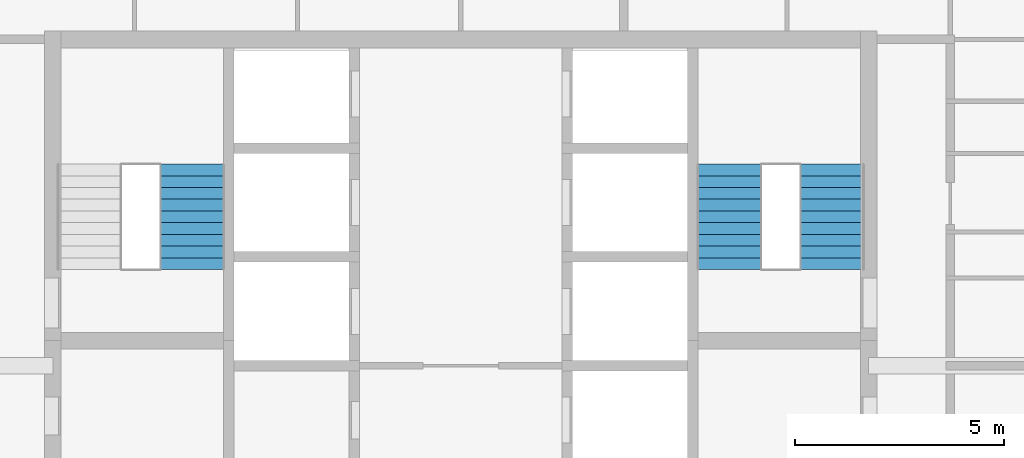
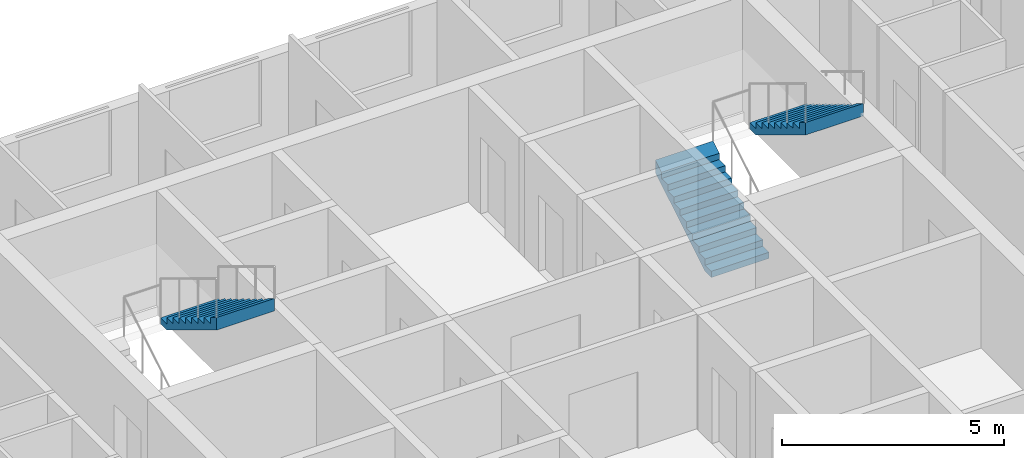
# One storey, part 14 of 16: 3 stair flights, 2 elements without a shape of their own.
"""IFC4 building model written with IfcOpenShell, lengths in metres."""

import ifcopenshell
import ifcopenshell.guid

model = None  # the IFC model being written
_history = None  # IfcOwnerHistory: only IFC2X3 demands one
_inside = {}  # id of a spatial element -> (the spatial element, [elements in it])
_under = {}  # id of a project, library or spatial element -> (it, [spatial elements below it])
_declared = {}  # id of a project -> (the project, [libraries it declares])
_typed = {}  # id of a type object -> (the type object, [elements of that type])
_made_of = {}  # id of a material, layer set ... -> (it, [elements and type objects made of it])


def new_model(schema):
    """Start an empty IFC model of exactly this schema.

    Asked for "IFC4X3", IfcOpenShell would pick the latest addendum, in which some entities
    have other attributes; the version numbers below select the first issue.
    IFC2X3 requires an IfcOwnerHistory on every rooted entity: one is made here for all.
    """
    global model, _history
    if schema == "IFC4X3":
        model = ifcopenshell.file(schema_version=(4, 3, 0, 0))
    else:
        model = ifcopenshell.file(schema=schema)
    _inside.clear()
    _under.clear()
    _declared.clear()
    _typed.clear()
    _made_of.clear()
    _history = None
    if model.schema == "IFC2X3":
        org = make("IfcOrganization", Name="unknown")
        user = make(
            "IfcPersonAndOrganization",
            ThePerson=make("IfcPerson", FamilyName="unknown"),
            TheOrganization=org,
        )
        app = make(
            "IfcApplication",
            ApplicationDeveloper=org,
            Version="unknown",
            ApplicationFullName="unknown",
            ApplicationIdentifier="unknown",
        )
        _history = make(
            "IfcOwnerHistory",
            OwningUser=user,
            OwningApplication=app,
            ChangeAction="ADDED",
            CreationDate=0,
        )
    return model


def make(cls, **values):
    """One entity of the class cls with the attributes given. An attribute that is None is left unset."""
    return model.create_entity(
        cls, **{name: value for name, value in values.items() if value is not None}
    )


def rooted(cls, **values):
    """An entity with a GlobalId (a new one), such as an element, a storey or a relation."""
    return make(cls, GlobalId=ifcopenshell.guid.new(), OwnerHistory=_history, **values)


def si_unit(unit_type, name, prefix=None):
    """IfcSIUnit, for example si_unit("LENGTHUNIT", "METRE", prefix="MILLI")."""
    return make("IfcSIUnit", UnitType=unit_type, Prefix=prefix, Name=name)


def assignment(units):
    """IfcUnitAssignment: the units of a project."""
    return None if units is None else make("IfcUnitAssignment", Units=units)


def point(xyz):
    """IfcCartesianPoint."""
    return None if xyz is None else make("IfcCartesianPoint", Coordinates=xyz)


def direction(xyz):
    """IfcDirection."""
    return None if xyz is None else make("IfcDirection", DirectionRatios=xyz)


def frame(location, z_axis=None, x_axis=None):
    """IfcAxis2Placement3D, a coordinate frame: its origin and axes. An axis left out is left unset."""
    return make(
        "IfcAxis2Placement3D",
        Location=point(location),
        Axis=direction(z_axis),
        RefDirection=direction(x_axis),
    )


def origin():
    """The frame at (0, 0, 0) with its axes left unset."""
    return frame((0.0, 0.0, 0.0))


def place(relative_to, where):
    """IfcLocalPlacement: puts the frame where relative to a parent placement (None: the world)."""
    return make(
        "IfcLocalPlacement", PlacementRelTo=relative_to, RelativePlacement=where
    )


def context(
    kind, dimensions, precision=None, world=None, true_north=None, identifier=None
):
    """IfcGeometricRepresentationContext, for example the 3D "Model" context."""
    return make(
        "IfcGeometricRepresentationContext",
        ContextIdentifier=identifier,
        ContextType=kind,
        CoordinateSpaceDimension=dimensions,
        Precision=precision,
        WorldCoordinateSystem=world,
        TrueNorth=true_north,
    )


def subcontext(parent, identifier, kind, view, scale=None):
    """IfcGeometricRepresentationSubContext, for example "Body" below "Model"."""
    return make(
        "IfcGeometricRepresentationSubContext",
        ContextIdentifier=identifier,
        ContextType=kind,
        ParentContext=parent,
        TargetScale=scale,
        TargetView=view,
    )


def project(units=None, contexts=None):
    """IfcProject with its units and contexts."""
    return rooted(
        "IfcProject",
        Name="project",
        RepresentationContexts=contexts,
        UnitsInContext=assignment(units),
    )


def spatial(cls, under=None, at=None, **own):
    """A site, building, storey or space (cls), placed at a placement, below another one or the project."""
    s = rooted(cls, ObjectPlacement=at, **own)
    if under is not None:
        _under.setdefault(under.id(), (under, []))[1].append(s)
    return s


def point_list(points):
    """IfcCartesianPointList2D or 3D."""
    cls = (
        "IfcCartesianPointList2D" if len(points[0]) == 2 else "IfcCartesianPointList3D"
    )
    return make(cls, CoordList=points)


def triangles(points, corners, closed=None, point_numbers=None):
    """IfcTriangulatedFaceSet: each triangle names its three corners, points numbered from 1."""
    return make(
        "IfcTriangulatedFaceSet",
        Coordinates=point_list(points),
        Closed=closed,
        CoordIndex=corners,
        PnIndex=point_numbers,
    )


def shape(context_of_items, identifier, shape_type, items):
    """IfcShapeRepresentation: the items that make up one representation, for example the "Body"."""
    return make(
        "IfcShapeRepresentation",
        ContextOfItems=context_of_items,
        RepresentationIdentifier=identifier,
        RepresentationType=shape_type,
        Items=items,
    )


def material(Name=None, Category=None):
    """IfcMaterial."""
    return make("IfcMaterial", Name=Name, Category=Category)


def made_of(thing, what):
    """Note that an element or type object is made of a material, layer set ...; save() writes the relation."""
    if what is not None:
        _made_of.setdefault(what.id(), (what, []))[1].append(thing)
    return thing


def type_object(cls, material=None, **own):
    """A type object (cls), such as IfcWallType, which elements share."""
    return made_of(rooted(cls, **own), material)


def element(
    cls,
    number,
    at=None,
    inside=None,
    cuts=None,
    type_object=None,
    material=None,
    context=None,
    identifier="Body",
    shape_type=None,
    held_by="IfcProductDefinitionShape",
    body=None,
    shapes=None,
    **own,
):
    """One element of the class cls, such as IfcWall. Its Tag is "e" and its number.

    at: its placement. inside: the storey or other place that contains it. cuts: it is an
    opening in that element (IfcRelVoidsElement). A single representation is given by context,
    identifier, shape_type and body (its items); several are given by shapes. held_by: the class
    of the entity that holds the representations. save() writes the other relations.
    """
    e = rooted(cls, Tag="e%d" % number, ObjectPlacement=at, **own)
    if body is not None:
        shapes = [shape(context, identifier, shape_type, body)]
    if shapes is not None:
        e.Representation = make(held_by, Representations=shapes)
    if inside is not None:
        _inside.setdefault(inside.id(), (inside, []))[1].append(e)
    if cuts is not None:
        rooted(
            "IfcRelVoidsElement", RelatingBuildingElement=cuts, RelatedOpeningElement=e
        )
    if type_object is not None:
        _typed.setdefault(type_object.id(), (type_object, []))[1].append(e)
    return made_of(e, material)


def aggregate(whole, parts):
    """IfcRelAggregates: a whole, such as a stair, and the parts it consists of."""
    return rooted("IfcRelAggregates", RelatingObject=whole, RelatedObjects=parts)


def save(model, path):
    """Write the relations noted so far, then the file.

    IfcRelAggregates (storeys below a building ...), IfcRelContainedInSpatialStructure (elements
    in a storey), IfcRelDefinesByType, IfcRelAssociatesMaterial and IfcRelDeclares: one each for
    every whole, place, type object, material and project.
    """
    for whole, parts in _under.values():
        aggregate(whole, parts)
    for where, things in _inside.values():
        rooted(
            "IfcRelContainedInSpatialStructure",
            RelatedElements=things,
            RelatingStructure=where,
        )
    for kind, things in _typed.values():
        rooted("IfcRelDefinesByType", RelatedObjects=things, RelatingType=kind)
    for what, things in _made_of.values():
        rooted("IfcRelAssociatesMaterial", RelatedObjects=things, RelatingMaterial=what)
    for by, libraries in _declared.values():
        rooted("IfcRelDeclares", RelatingContext=by, RelatedDefinitions=libraries)
    model.write(path)


model = new_model("IFC4")

# Units and contexts
model_context = context("Model", 3, precision=1e-05, world=origin(), true_north=direction((0.0, 1.0)))
body_context = subcontext(model_context, "Body", "Model", "MODEL_VIEW")
ifc_project = project(units=[si_unit("LENGTHUNIT", "METRE"), si_unit("AREAUNIT", "SQUARE_METRE"), si_unit("VOLUMEUNIT", "CUBIC_METRE"), si_unit("PLANEANGLEUNIT", "RADIAN"), si_unit("MASSUNIT", "GRAM", prefix="KILO")], contexts=[model_context])

# Site, building, storey
site_placement = place(None, origin())
site = spatial("IfcSite", under=ifc_project, at=site_placement, CompositionType="ELEMENT")
building_placement = place(site_placement, origin())
building = spatial("IfcBuilding", under=site, at=building_placement, Name="Ludao Terraces", CompositionType="ELEMENT")
storey_placement = place(building_placement, frame((0.0, 0.0, 214.300048828125)))
storey = spatial("IfcBuildingStorey", under=building, at=storey_placement, Name="L58", CompositionType="ELEMENT", Elevation=214.300048828125)

# Stair, stair flight
ifc_material = material(Name="Concrete C40", Category="concrete")
stair_type = type_object("IfcStairType", Name="INT Stair", PredefinedType="HALF_TURN_STAIR", material=ifc_material)
stair_1_placement = place(storey_placement, origin())
stair_1 = element("IfcStair", 1, at=stair_1_placement, inside=storey, type_object=stair_type, Name="EXIT STAIR 1", PredefinedType="HALF_TURN_STAIR")
stair_flight_type = type_object("IfcStairFlightType", Name="INT Stair flight", PredefinedType="STRAIGHT", material=ifc_material)
stair_flight_1_placement = place(storey_placement, frame((78.574951171875, 81.52001953125, 1.699951171875), z_axis=(0.0, 0.0, 1.0), x_axis=(0.0, -1.0, 0.0)))
stair_flight_1 = element("IfcStairFlight", 2, at=stair_flight_1_placement, type_object=stair_flight_type, Name="ST1 flight 2", NumberOfRisers=10, NumberOfTreads=9, PredefinedType="STRAIGHT", RiserHeight=0.17, TreadLength=0.28, context=body_context, shape_type="Tessellation", body=[
    triangles([(0.0, -0.75, 0.0), (0.0, -0.5, 0.0), (0.0, -0.25, 0.0), (0.0, 0.0, 0.0), (0.0, 0.25, 0.0), (0.0, 0.5, 0.0), (0.0, 0.75, 0.0), (0.0, -0.75, 0.169921875), (0.0, -0.5, 0.169921875), (0.0, -0.25, 0.169921875), (0.0, 0.0, 0.169921875), (0.0, 0.25, 0.169921875), (0.0, 0.5, 0.169921875), (0.0, 0.75, 0.169921875), (0.280029296875, -0.75, 0.169921875), (0.280029296875, -0.5, 0.169921875), (0.280029296875, -0.25, 0.169921875), (0.280029296875, 0.0, 0.169921875), (0.280029296875, 0.25, 0.169921875), (0.280029296875, 0.5, 0.169921875), (0.280029296875, 0.75, 0.169921875), (0.280029296875, -0.75, 0.340087890625), (0.280029296875, -0.5, 0.340087890625), (0.280029296875, -0.25, 0.340087890625), (0.280029296875, 0.0, 0.340087890625), (0.280029296875, 0.25, 0.340087890625), (0.280029296875, 0.5, 0.340087890625), (0.280029296875, 0.75, 0.340087890625), (0.56005859375, -0.75, 0.340087890625), (0.56005859375, -0.5, 0.340087890625), (0.56005859375, -0.25, 0.340087890625), (0.56005859375, 0.0, 0.340087890625), (0.56005859375, 0.25, 0.340087890625), (0.56005859375, 0.5, 0.340087890625), (0.56005859375, 0.75, 0.340087890625), (0.56005859375, -0.75, 0.510009765625), (0.56005859375, -0.5, 0.510009765625), (0.56005859375, -0.25, 0.510009765625), (0.56005859375, 0.0, 0.510009765625), (0.56005859375, 0.25, 0.510009765625), (0.56005859375, 0.5, 0.510009765625), (0.56005859375, 0.75, 0.510009765625), (0.840087890625, -0.75, 0.510009765625), (0.840087890625, -0.5, 0.510009765625), (0.840087890625, -0.25, 0.510009765625), (0.840087890625, 0.0, 0.510009765625), (0.840087890625, 0.25, 0.510009765625), (0.840087890625, 0.5, 0.510009765625), (0.840087890625, 0.75, 0.510009765625), (0.840087890625, -0.75, 0.679931640625), (0.840087890625, -0.5, 0.679931640625), (0.840087890625, -0.25, 0.679931640625), (0.840087890625, 0.0, 0.679931640625), (0.840087890625, 0.25, 0.679931640625), (0.840087890625, 0.5, 0.679931640625), (0.840087890625, 0.75, 0.679931640625), (1.1201171875, -0.75, 0.679931640625), (1.1201171875, -0.5, 0.679931640625), (1.1201171875, -0.25, 0.679931640625), (1.1201171875, 0.0, 0.679931640625), (1.1201171875, 0.25, 0.679931640625), (1.1201171875, 0.5, 0.679931640625), (1.1201171875, 0.75, 0.679931640625), (1.1201171875, -0.75, 0.85009765625), (1.1201171875, -0.5, 0.85009765625), (1.1201171875, -0.25, 0.85009765625), (1.1201171875, 0.0, 0.85009765625), (1.1201171875, 0.25, 0.85009765625), (1.1201171875, 0.5, 0.85009765625), (1.1201171875, 0.75, 0.85009765625), (1.39990234375, -0.75, 0.85009765625), (1.39990234375, -0.5, 0.85009765625), (1.39990234375, -0.25, 0.85009765625), (1.39990234375, 0.0, 0.85009765625), (1.39990234375, 0.25, 0.85009765625), (1.39990234375, 0.5, 0.85009765625), (1.39990234375, 0.75, 0.85009765625), (1.39990234375, -0.75, 1.02001953125), (1.39990234375, -0.5, 1.02001953125), (1.39990234375, -0.25, 1.02001953125), (1.39990234375, 0.0, 1.02001953125), (1.39990234375, 0.25, 1.02001953125), (1.39990234375, 0.5, 1.02001953125), (1.39990234375, 0.75, 1.02001953125), (1.679931640625, -0.75, 1.02001953125), (1.679931640625, -0.5, 1.02001953125), (1.679931640625, -0.25, 1.02001953125), (1.679931640625, 0.0, 1.02001953125), (1.679931640625, 0.25, 1.02001953125), (1.679931640625, 0.5, 1.02001953125), (1.679931640625, 0.75, 1.02001953125), (1.679931640625, -0.75, 1.18994140625), (1.679931640625, -0.5, 1.18994140625), (1.679931640625, -0.25, 1.18994140625), (1.679931640625, 0.0, 1.18994140625), (1.679931640625, 0.25, 1.18994140625), (1.679931640625, 0.5, 1.18994140625), (1.679931640625, 0.75, 1.18994140625), (1.9599609375, -0.75, 1.18994140625), (1.9599609375, -0.5, 1.18994140625), (1.9599609375, -0.25, 1.18994140625), (1.9599609375, 0.0, 1.18994140625), (1.9599609375, 0.25, 1.18994140625), (1.9599609375, 0.5, 1.18994140625), (1.9599609375, 0.75, 1.18994140625), (1.9599609375, -0.75, 1.360107421875), (1.9599609375, -0.5, 1.360107421875), (1.9599609375, -0.25, 1.360107421875), (1.9599609375, 0.0, 1.360107421875), (1.9599609375, 0.25, 1.360107421875), (1.9599609375, 0.5, 1.360107421875), (1.9599609375, 0.75, 1.360107421875), (2.239990234375, -0.75, 1.360107421875), (2.239990234375, -0.5, 1.360107421875), (2.239990234375, -0.25, 1.360107421875), (2.239990234375, 0.0, 1.360107421875), (2.239990234375, 0.25, 1.360107421875), (2.239990234375, 0.5, 1.360107421875), (2.239990234375, 0.75, 1.360107421875), (2.239990234375, -0.75, 1.530029296875), (2.239990234375, -0.5, 1.530029296875), (2.239990234375, -0.25, 1.530029296875), (2.239990234375, 0.0, 1.530029296875), (2.239990234375, 0.25, 1.530029296875), (2.239990234375, 0.5, 1.530029296875), (2.239990234375, 0.75, 1.530029296875), (2.52001953125, -0.75, 1.699951171875), (2.52001953125, -0.5, 1.699951171875), (2.52001953125, -0.25, 1.699951171875), (2.52001953125, 0.0, 1.699951171875), (2.52001953125, 0.25, 1.699951171875), (2.52001953125, 0.5, 1.699951171875), (2.52001953125, 0.75, 1.699951171875), (2.52001953125, -0.75, 1.354736328125), (2.52001953125, -0.5, 1.354736328125), (2.52001953125, -0.25, 1.354736328125), (2.52001953125, 0.0, 1.354736328125), (2.52001953125, 0.25, 1.354736328125), (2.52001953125, 0.5, 1.354736328125), (2.52001953125, 0.75, 1.354736328125), (0.288818359375, -0.75, 0.0), (0.288818359375, -0.5, 0.0), (0.288818359375, -0.25, 0.0), (0.288818359375, 0.0, 0.0), (0.288818359375, 0.25, 0.0), (0.288818359375, 0.5, 0.0), (0.288818359375, 0.75, 0.0)], [[1, 141, 134], [7, 140, 147], [134, 127, 120], [140, 126, 133], [134, 120, 113], [140, 119, 126], [134, 113, 106], [140, 112, 119], [134, 106, 99], [140, 105, 112], [99, 92, 85], [105, 91, 98], [134, 99, 85], [140, 91, 105], [85, 78, 71], [91, 77, 84], [134, 85, 71], [140, 77, 91], [71, 64, 57], [77, 63, 70], [134, 71, 57], [140, 63, 77], [57, 50, 43], [63, 49, 56], [134, 57, 43], [140, 49, 63], [43, 36, 29], [49, 35, 42], [134, 43, 29], [140, 35, 49], [29, 22, 15], [35, 21, 28], [134, 29, 15], [140, 21, 35], [1, 134, 15], [7, 21, 140], [15, 8, 1], [21, 7, 14], [1, 9, 2], [1, 8, 9], [2, 10, 3], [2, 9, 10], [3, 11, 4], [3, 10, 11], [4, 12, 5], [4, 11, 12], [5, 13, 6], [5, 12, 13], [6, 14, 7], [6, 13, 14], [8, 16, 9], [8, 15, 16], [9, 17, 10], [9, 16, 17], [10, 18, 11], [10, 17, 18], [11, 19, 12], [11, 18, 19], [12, 20, 13], [12, 19, 20], [13, 21, 14], [13, 20, 21], [15, 23, 16], [15, 22, 23], [16, 24, 17], [16, 23, 24], [17, 25, 18], [17, 24, 25], [18, 26, 19], [18, 25, 26], [19, 27, 20], [19, 26, 27], [20, 28, 21], [20, 27, 28], [22, 30, 23], [22, 29, 30], [23, 31, 24], [23, 30, 31], [24, 32, 25], [24, 31, 32], [25, 33, 26], [25, 32, 33], [26, 34, 27], [26, 33, 34], [27, 35, 28], [27, 34, 35], [29, 37, 30], [29, 36, 37], [30, 38, 31], [30, 37, 38], [31, 39, 32], [31, 38, 39], [32, 40, 33], [32, 39, 40], [33, 41, 34], [33, 40, 41], [34, 42, 35], [34, 41, 42], [36, 44, 37], [36, 43, 44], [37, 45, 38], [37, 44, 45], [38, 46, 39], [38, 45, 46], [39, 47, 40], [39, 46, 47], [40, 48, 41], [40, 47, 48], [41, 49, 42], [41, 48, 49], [43, 51, 44], [43, 50, 51], [44, 52, 45], [44, 51, 52], [45, 53, 46], [45, 52, 53], [46, 54, 47], [46, 53, 54], [47, 55, 48], [47, 54, 55], [48, 56, 49], [48, 55, 56], [50, 58, 51], [50, 57, 58], [51, 59, 52], [51, 58, 59], [52, 60, 53], [52, 59, 60], [53, 61, 54], [53, 60, 61], [54, 62, 55], [54, 61, 62], [55, 63, 56], [55, 62, 63], [57, 65, 58], [57, 64, 65], [58, 66, 59], [58, 65, 66], [59, 67, 60], [59, 66, 67], [60, 68, 61], [60, 67, 68], [61, 69, 62], [61, 68, 69], [62, 70, 63], [62, 69, 70], [64, 72, 65], [64, 71, 72], [65, 73, 66], [65, 72, 73], [66, 74, 67], [66, 73, 74], [67, 75, 68], [67, 74, 75], [68, 76, 69], [68, 75, 76], [69, 77, 70], [69, 76, 77], [71, 79, 72], [71, 78, 79], [72, 80, 73], [72, 79, 80], [73, 81, 74], [73, 80, 81], [74, 82, 75], [74, 81, 82], [75, 83, 76], [75, 82, 83], [76, 84, 77], [76, 83, 84], [78, 86, 79], [78, 85, 86], [79, 87, 80], [79, 86, 87], [80, 88, 81], [80, 87, 88], [81, 89, 82], [81, 88, 89], [82, 90, 83], [82, 89, 90], [83, 91, 84], [83, 90, 91], [85, 93, 86], [85, 92, 93], [86, 94, 87], [86, 93, 94], [87, 95, 88], [87, 94, 95], [88, 96, 89], [88, 95, 96], [89, 97, 90], [89, 96, 97], [90, 98, 91], [90, 97, 98], [92, 100, 93], [92, 99, 100], [93, 101, 94], [93, 100, 101], [94, 102, 95], [94, 101, 102], [95, 103, 96], [95, 102, 103], [96, 104, 97], [96, 103, 104], [97, 105, 98], [97, 104, 105], [99, 107, 100], [99, 106, 107], [100, 108, 101], [100, 107, 108], [101, 109, 102], [101, 108, 109], [102, 110, 103], [102, 109, 110], [103, 111, 104], [103, 110, 111], [104, 112, 105], [104, 111, 112], [106, 114, 107], [106, 113, 114], [107, 115, 108], [107, 114, 115], [108, 116, 109], [108, 115, 116], [109, 117, 110], [109, 116, 117], [110, 118, 111], [110, 117, 118], [111, 119, 112], [111, 118, 119], [113, 121, 114], [113, 120, 121], [114, 122, 115], [114, 121, 122], [115, 123, 116], [115, 122, 123], [116, 124, 117], [116, 123, 124], [117, 125, 118], [117, 124, 125], [118, 126, 119], [118, 125, 126], [120, 128, 121], [120, 127, 128], [121, 129, 122], [121, 128, 129], [122, 130, 123], [122, 129, 130], [123, 131, 124], [123, 130, 131], [124, 132, 125], [124, 131, 132], [125, 133, 126], [125, 132, 133], [127, 135, 128], [127, 134, 135], [128, 136, 129], [128, 135, 136], [129, 137, 130], [129, 136, 137], [130, 138, 131], [130, 137, 138], [131, 139, 132], [131, 138, 139], [132, 140, 133], [132, 139, 140], [134, 142, 135], [134, 141, 142], [135, 143, 136], [135, 142, 143], [136, 144, 137], [136, 143, 144], [137, 145, 138], [137, 144, 145], [138, 146, 139], [138, 145, 146], [139, 147, 140], [139, 146, 147], [141, 2, 142], [141, 1, 2], [142, 3, 143], [142, 2, 3], [143, 4, 144], [143, 3, 4], [144, 5, 145], [144, 4, 5], [145, 6, 146], [145, 5, 6], [146, 7, 147], [146, 6, 7]], closed=True),
])
aggregate(stair_1, [stair_flight_1])

# Stair, stair flights
stair_2_placement = place(storey_placement, origin())
stair_2 = element("IfcStair", 3, at=stair_2_placement, inside=storey, type_object=stair_type, Name="EXIT STAIR 2", PredefinedType="HALF_TURN_STAIR")
stair_flight_2_placement = place(storey_placement, frame((91.425048828125, 79.0, 0.0), z_axis=(0.0, 0.0, 1.0), x_axis=(0.0, 1.0, 0.0)))
stair_flight_2 = element("IfcStairFlight", 4, at=stair_flight_2_placement, type_object=stair_flight_type, Name="ST2 flight 1", NumberOfRisers=10, NumberOfTreads=9, PredefinedType="STRAIGHT", RiserHeight=0.17, TreadLength=0.28, context=body_context, shape_type="Tessellation", body=[
    triangles([(0.0, -0.75, 0.0), (0.0, -0.5, 0.0), (0.0, -0.25, 0.0), (0.0, 0.0, 0.0), (0.0, 0.25, 0.0), (0.0, 0.5, 0.0), (0.0, 0.75, 0.0), (0.0, -0.75, 0.169921875), (0.0, -0.5, 0.169921875), (0.0, -0.25, 0.169921875), (0.0, 0.0, 0.169921875), (0.0, 0.25, 0.169921875), (0.0, 0.5, 0.169921875), (0.0, 0.75, 0.169921875), (0.280029296875, -0.75, 0.169921875), (0.280029296875, -0.5, 0.169921875), (0.280029296875, -0.25, 0.169921875), (0.280029296875, 0.0, 0.169921875), (0.280029296875, 0.25, 0.169921875), (0.280029296875, 0.5, 0.169921875), (0.280029296875, 0.75, 0.169921875), (0.280029296875, -0.75, 0.340087890625), (0.280029296875, -0.5, 0.340087890625), (0.280029296875, -0.25, 0.340087890625), (0.280029296875, 0.0, 0.340087890625), (0.280029296875, 0.25, 0.340087890625), (0.280029296875, 0.5, 0.340087890625), (0.280029296875, 0.75, 0.340087890625), (0.56005859375, -0.75, 0.340087890625), (0.56005859375, -0.5, 0.340087890625), (0.56005859375, -0.25, 0.340087890625), (0.56005859375, 0.0, 0.340087890625), (0.56005859375, 0.25, 0.340087890625), (0.56005859375, 0.5, 0.340087890625), (0.56005859375, 0.75, 0.340087890625), (0.56005859375, -0.75, 0.510009765625), (0.56005859375, -0.5, 0.510009765625), (0.56005859375, -0.25, 0.510009765625), (0.56005859375, 0.0, 0.510009765625), (0.56005859375, 0.25, 0.510009765625), (0.56005859375, 0.5, 0.510009765625), (0.56005859375, 0.75, 0.510009765625), (0.840087890625, -0.75, 0.510009765625), (0.840087890625, -0.5, 0.510009765625), (0.840087890625, -0.25, 0.510009765625), (0.840087890625, 0.0, 0.510009765625), (0.840087890625, 0.25, 0.510009765625), (0.840087890625, 0.5, 0.510009765625), (0.840087890625, 0.75, 0.510009765625), (0.840087890625, -0.75, 0.679931640625), (0.840087890625, -0.5, 0.679931640625), (0.840087890625, -0.25, 0.679931640625), (0.840087890625, 0.0, 0.679931640625), (0.840087890625, 0.25, 0.679931640625), (0.840087890625, 0.5, 0.679931640625), (0.840087890625, 0.75, 0.679931640625), (1.1201171875, -0.75, 0.679931640625), (1.1201171875, -0.5, 0.679931640625), (1.1201171875, -0.25, 0.679931640625), (1.1201171875, 0.0, 0.679931640625), (1.1201171875, 0.25, 0.679931640625), (1.1201171875, 0.5, 0.679931640625), (1.1201171875, 0.75, 0.679931640625), (1.1201171875, -0.75, 0.85009765625), (1.1201171875, -0.5, 0.85009765625), (1.1201171875, -0.25, 0.85009765625), (1.1201171875, 0.0, 0.85009765625), (1.1201171875, 0.25, 0.85009765625), (1.1201171875, 0.5, 0.85009765625), (1.1201171875, 0.75, 0.85009765625), (1.39990234375, -0.75, 0.85009765625), (1.39990234375, -0.5, 0.85009765625), (1.39990234375, -0.25, 0.85009765625), (1.39990234375, 0.0, 0.85009765625), (1.39990234375, 0.25, 0.85009765625), (1.39990234375, 0.5, 0.85009765625), (1.39990234375, 0.75, 0.85009765625), (1.39990234375, -0.75, 1.02001953125), (1.39990234375, -0.5, 1.02001953125), (1.39990234375, -0.25, 1.02001953125), (1.39990234375, 0.0, 1.02001953125), (1.39990234375, 0.25, 1.02001953125), (1.39990234375, 0.5, 1.02001953125), (1.39990234375, 0.75, 1.02001953125), (1.679931640625, -0.75, 1.02001953125), (1.679931640625, -0.5, 1.02001953125), (1.679931640625, -0.25, 1.02001953125), (1.679931640625, 0.0, 1.02001953125), (1.679931640625, 0.25, 1.02001953125), (1.679931640625, 0.5, 1.02001953125), (1.679931640625, 0.75, 1.02001953125), (1.679931640625, -0.75, 1.18994140625), (1.679931640625, -0.5, 1.18994140625), (1.679931640625, -0.25, 1.18994140625), (1.679931640625, 0.0, 1.18994140625), (1.679931640625, 0.25, 1.18994140625), (1.679931640625, 0.5, 1.18994140625), (1.679931640625, 0.75, 1.18994140625), (1.9599609375, -0.75, 1.18994140625), (1.9599609375, -0.5, 1.18994140625), (1.9599609375, -0.25, 1.18994140625), (1.9599609375, 0.0, 1.18994140625), (1.9599609375, 0.25, 1.18994140625), (1.9599609375, 0.5, 1.18994140625), (1.9599609375, 0.75, 1.18994140625), (1.9599609375, -0.75, 1.360107421875), (1.9599609375, -0.5, 1.360107421875), (1.9599609375, -0.25, 1.360107421875), (1.9599609375, 0.0, 1.360107421875), (1.9599609375, 0.25, 1.360107421875), (1.9599609375, 0.5, 1.360107421875), (1.9599609375, 0.75, 1.360107421875), (2.239990234375, -0.75, 1.360107421875), (2.239990234375, -0.5, 1.360107421875), (2.239990234375, -0.25, 1.360107421875), (2.239990234375, 0.0, 1.360107421875), (2.239990234375, 0.25, 1.360107421875), (2.239990234375, 0.5, 1.360107421875), (2.239990234375, 0.75, 1.360107421875), (2.239990234375, -0.75, 1.530029296875), (2.239990234375, -0.5, 1.530029296875), (2.239990234375, -0.25, 1.530029296875), (2.239990234375, 0.0, 1.530029296875), (2.239990234375, 0.25, 1.530029296875), (2.239990234375, 0.5, 1.530029296875), (2.239990234375, 0.75, 1.530029296875), (2.52001953125, -0.75, 1.699951171875), (2.52001953125, -0.5, 1.699951171875), (2.52001953125, -0.25, 1.699951171875), (2.52001953125, 0.0, 1.699951171875), (2.52001953125, 0.25, 1.699951171875), (2.52001953125, 0.5, 1.699951171875), (2.52001953125, 0.75, 1.699951171875), (2.52001953125, -0.75, 1.354736328125), (2.52001953125, -0.5, 1.354736328125), (2.52001953125, -0.25, 1.354736328125), (2.52001953125, 0.0, 1.354736328125), (2.52001953125, 0.25, 1.354736328125), (2.52001953125, 0.5, 1.354736328125), (2.52001953125, 0.75, 1.354736328125), (0.288818359375, -0.75, 0.0), (0.288818359375, -0.5, 0.0), (0.288818359375, -0.25, 0.0), (0.288818359375, 0.0, 0.0), (0.288818359375, 0.25, 0.0), (0.288818359375, 0.5, 0.0), (0.288818359375, 0.75, 0.0)], [[1, 141, 134], [7, 140, 147], [134, 127, 120], [140, 126, 133], [134, 120, 113], [140, 119, 126], [134, 113, 106], [140, 112, 119], [134, 106, 99], [140, 105, 112], [99, 92, 85], [105, 91, 98], [134, 99, 85], [140, 91, 105], [85, 78, 71], [91, 77, 84], [134, 85, 71], [140, 77, 91], [71, 64, 57], [77, 63, 70], [134, 71, 57], [140, 63, 77], [57, 50, 43], [63, 49, 56], [134, 57, 43], [140, 49, 63], [43, 36, 29], [49, 35, 42], [134, 43, 29], [140, 35, 49], [29, 22, 15], [35, 21, 28], [134, 29, 15], [140, 21, 35], [1, 134, 15], [7, 21, 140], [15, 8, 1], [21, 7, 14], [1, 9, 2], [1, 8, 9], [2, 10, 3], [2, 9, 10], [3, 11, 4], [3, 10, 11], [4, 12, 5], [4, 11, 12], [5, 13, 6], [5, 12, 13], [6, 14, 7], [6, 13, 14], [8, 16, 9], [8, 15, 16], [9, 17, 10], [9, 16, 17], [10, 18, 11], [10, 17, 18], [11, 19, 12], [11, 18, 19], [12, 20, 13], [12, 19, 20], [13, 21, 14], [13, 20, 21], [15, 23, 16], [15, 22, 23], [16, 24, 17], [16, 23, 24], [17, 25, 18], [17, 24, 25], [18, 26, 19], [18, 25, 26], [19, 27, 20], [19, 26, 27], [20, 28, 21], [20, 27, 28], [22, 30, 23], [22, 29, 30], [23, 31, 24], [23, 30, 31], [24, 32, 25], [24, 31, 32], [25, 33, 26], [25, 32, 33], [26, 34, 27], [26, 33, 34], [27, 35, 28], [27, 34, 35], [29, 37, 30], [29, 36, 37], [30, 38, 31], [30, 37, 38], [31, 39, 32], [31, 38, 39], [32, 40, 33], [32, 39, 40], [33, 41, 34], [33, 40, 41], [34, 42, 35], [34, 41, 42], [36, 44, 37], [36, 43, 44], [37, 45, 38], [37, 44, 45], [38, 46, 39], [38, 45, 46], [39, 47, 40], [39, 46, 47], [40, 48, 41], [40, 47, 48], [41, 49, 42], [41, 48, 49], [43, 51, 44], [43, 50, 51], [44, 52, 45], [44, 51, 52], [45, 53, 46], [45, 52, 53], [46, 54, 47], [46, 53, 54], [47, 55, 48], [47, 54, 55], [48, 56, 49], [48, 55, 56], [50, 58, 51], [50, 57, 58], [51, 59, 52], [51, 58, 59], [52, 60, 53], [52, 59, 60], [53, 61, 54], [53, 60, 61], [54, 62, 55], [54, 61, 62], [55, 63, 56], [55, 62, 63], [57, 65, 58], [57, 64, 65], [58, 66, 59], [58, 65, 66], [59, 67, 60], [59, 66, 67], [60, 68, 61], [60, 67, 68], [61, 69, 62], [61, 68, 69], [62, 70, 63], [62, 69, 70], [64, 72, 65], [64, 71, 72], [65, 73, 66], [65, 72, 73], [66, 74, 67], [66, 73, 74], [67, 75, 68], [67, 74, 75], [68, 76, 69], [68, 75, 76], [69, 77, 70], [69, 76, 77], [71, 79, 72], [71, 78, 79], [72, 80, 73], [72, 79, 80], [73, 81, 74], [73, 80, 81], [74, 82, 75], [74, 81, 82], [75, 83, 76], [75, 82, 83], [76, 84, 77], [76, 83, 84], [78, 86, 79], [78, 85, 86], [79, 87, 80], [79, 86, 87], [80, 88, 81], [80, 87, 88], [81, 89, 82], [81, 88, 89], [82, 90, 83], [82, 89, 90], [83, 91, 84], [83, 90, 91], [85, 93, 86], [85, 92, 93], [86, 94, 87], [86, 93, 94], [87, 95, 88], [87, 94, 95], [88, 96, 89], [88, 95, 96], [89, 97, 90], [89, 96, 97], [90, 98, 91], [90, 97, 98], [92, 100, 93], [92, 99, 100], [93, 101, 94], [93, 100, 101], [94, 102, 95], [94, 101, 102], [95, 103, 96], [95, 102, 103], [96, 104, 97], [96, 103, 104], [97, 105, 98], [97, 104, 105], [99, 107, 100], [99, 106, 107], [100, 108, 101], [100, 107, 108], [101, 109, 102], [101, 108, 109], [102, 110, 103], [102, 109, 110], [103, 111, 104], [103, 110, 111], [104, 112, 105], [104, 111, 112], [106, 114, 107], [106, 113, 114], [107, 115, 108], [107, 114, 115], [108, 116, 109], [108, 115, 116], [109, 117, 110], [109, 116, 117], [110, 118, 111], [110, 117, 118], [111, 119, 112], [111, 118, 119], [113, 121, 114], [113, 120, 121], [114, 122, 115], [114, 121, 122], [115, 123, 116], [115, 122, 123], [116, 124, 117], [116, 123, 124], [117, 125, 118], [117, 124, 125], [118, 126, 119], [118, 125, 126], [120, 128, 121], [120, 127, 128], [121, 129, 122], [121, 128, 129], [122, 130, 123], [122, 129, 130], [123, 131, 124], [123, 130, 131], [124, 132, 125], [124, 131, 132], [125, 133, 126], [125, 132, 133], [127, 135, 128], [127, 134, 135], [128, 136, 129], [128, 135, 136], [129, 137, 130], [129, 136, 137], [130, 138, 131], [130, 137, 138], [131, 139, 132], [131, 138, 139], [132, 140, 133], [132, 139, 140], [134, 142, 135], [134, 141, 142], [135, 143, 136], [135, 142, 143], [136, 144, 137], [136, 143, 144], [137, 145, 138], [137, 144, 145], [138, 146, 139], [138, 145, 146], [139, 147, 140], [139, 146, 147], [141, 2, 142], [141, 1, 2], [142, 3, 143], [142, 2, 3], [143, 4, 144], [143, 3, 4], [144, 5, 145], [144, 4, 5], [145, 6, 146], [145, 5, 6], [146, 7, 147], [146, 6, 7]], closed=True),
])
stair_flight_3_placement = place(storey_placement, frame((93.875, 81.52001953125, 1.699951171875), z_axis=(0.0, 0.0, 1.0), x_axis=(0.0, -1.0, 0.0)))
stair_flight_3 = element("IfcStairFlight", 5, at=stair_flight_3_placement, type_object=stair_flight_type, Name="ST2 flight 2", NumberOfRisers=10, NumberOfTreads=9, PredefinedType="STRAIGHT", RiserHeight=0.17, TreadLength=0.28, context=body_context, shape_type="Tessellation", body=[
    triangles([(0.0, -0.75, 0.0), (0.0, -0.5, 0.0), (0.0, -0.25, 0.0), (0.0, 0.0, 0.0), (0.0, 0.25, 0.0), (0.0, 0.5, 0.0), (0.0, 0.75, 0.0), (0.0, -0.75, 0.169921875), (0.0, -0.5, 0.169921875), (0.0, -0.25, 0.169921875), (0.0, 0.0, 0.169921875), (0.0, 0.25, 0.169921875), (0.0, 0.5, 0.169921875), (0.0, 0.75, 0.169921875), (0.280029296875, -0.75, 0.169921875), (0.280029296875, -0.5, 0.169921875), (0.280029296875, -0.25, 0.169921875), (0.280029296875, 0.0, 0.169921875), (0.280029296875, 0.25, 0.169921875), (0.280029296875, 0.5, 0.169921875), (0.280029296875, 0.75, 0.169921875), (0.280029296875, -0.75, 0.340087890625), (0.280029296875, -0.5, 0.340087890625), (0.280029296875, -0.25, 0.340087890625), (0.280029296875, 0.0, 0.340087890625), (0.280029296875, 0.25, 0.340087890625), (0.280029296875, 0.5, 0.340087890625), (0.280029296875, 0.75, 0.340087890625), (0.56005859375, -0.75, 0.340087890625), (0.56005859375, -0.5, 0.340087890625), (0.56005859375, -0.25, 0.340087890625), (0.56005859375, 0.0, 0.340087890625), (0.56005859375, 0.25, 0.340087890625), (0.56005859375, 0.5, 0.340087890625), (0.56005859375, 0.75, 0.340087890625), (0.56005859375, -0.75, 0.510009765625), (0.56005859375, -0.5, 0.510009765625), (0.56005859375, -0.25, 0.510009765625), (0.56005859375, 0.0, 0.510009765625), (0.56005859375, 0.25, 0.510009765625), (0.56005859375, 0.5, 0.510009765625), (0.56005859375, 0.75, 0.510009765625), (0.840087890625, -0.75, 0.510009765625), (0.840087890625, -0.5, 0.510009765625), (0.840087890625, -0.25, 0.510009765625), (0.840087890625, 0.0, 0.510009765625), (0.840087890625, 0.25, 0.510009765625), (0.840087890625, 0.5, 0.510009765625), (0.840087890625, 0.75, 0.510009765625), (0.840087890625, -0.75, 0.679931640625), (0.840087890625, -0.5, 0.679931640625), (0.840087890625, -0.25, 0.679931640625), (0.840087890625, 0.0, 0.679931640625), (0.840087890625, 0.25, 0.679931640625), (0.840087890625, 0.5, 0.679931640625), (0.840087890625, 0.75, 0.679931640625), (1.1201171875, -0.75, 0.679931640625), (1.1201171875, -0.5, 0.679931640625), (1.1201171875, -0.25, 0.679931640625), (1.1201171875, 0.0, 0.679931640625), (1.1201171875, 0.25, 0.679931640625), (1.1201171875, 0.5, 0.679931640625), (1.1201171875, 0.75, 0.679931640625), (1.1201171875, -0.75, 0.85009765625), (1.1201171875, -0.5, 0.85009765625), (1.1201171875, -0.25, 0.85009765625), (1.1201171875, 0.0, 0.85009765625), (1.1201171875, 0.25, 0.85009765625), (1.1201171875, 0.5, 0.85009765625), (1.1201171875, 0.75, 0.85009765625), (1.39990234375, -0.75, 0.85009765625), (1.39990234375, -0.5, 0.85009765625), (1.39990234375, -0.25, 0.85009765625), (1.39990234375, 0.0, 0.85009765625), (1.39990234375, 0.25, 0.85009765625), (1.39990234375, 0.5, 0.85009765625), (1.39990234375, 0.75, 0.85009765625), (1.39990234375, -0.75, 1.02001953125), (1.39990234375, -0.5, 1.02001953125), (1.39990234375, -0.25, 1.02001953125), (1.39990234375, 0.0, 1.02001953125), (1.39990234375, 0.25, 1.02001953125), (1.39990234375, 0.5, 1.02001953125), (1.39990234375, 0.75, 1.02001953125), (1.679931640625, -0.75, 1.02001953125), (1.679931640625, -0.5, 1.02001953125), (1.679931640625, -0.25, 1.02001953125), (1.679931640625, 0.0, 1.02001953125), (1.679931640625, 0.25, 1.02001953125), (1.679931640625, 0.5, 1.02001953125), (1.679931640625, 0.75, 1.02001953125), (1.679931640625, -0.75, 1.18994140625), (1.679931640625, -0.5, 1.18994140625), (1.679931640625, -0.25, 1.18994140625), (1.679931640625, 0.0, 1.18994140625), (1.679931640625, 0.25, 1.18994140625), (1.679931640625, 0.5, 1.18994140625), (1.679931640625, 0.75, 1.18994140625), (1.9599609375, -0.75, 1.18994140625), (1.9599609375, -0.5, 1.18994140625), (1.9599609375, -0.25, 1.18994140625), (1.9599609375, 0.0, 1.18994140625), (1.9599609375, 0.25, 1.18994140625), (1.9599609375, 0.5, 1.18994140625), (1.9599609375, 0.75, 1.18994140625), (1.9599609375, -0.75, 1.360107421875), (1.9599609375, -0.5, 1.360107421875), (1.9599609375, -0.25, 1.360107421875), (1.9599609375, 0.0, 1.360107421875), (1.9599609375, 0.25, 1.360107421875), (1.9599609375, 0.5, 1.360107421875), (1.9599609375, 0.75, 1.360107421875), (2.239990234375, -0.75, 1.360107421875), (2.239990234375, -0.5, 1.360107421875), (2.239990234375, -0.25, 1.360107421875), (2.239990234375, 0.0, 1.360107421875), (2.239990234375, 0.25, 1.360107421875), (2.239990234375, 0.5, 1.360107421875), (2.239990234375, 0.75, 1.360107421875), (2.239990234375, -0.75, 1.530029296875), (2.239990234375, -0.5, 1.530029296875), (2.239990234375, -0.25, 1.530029296875), (2.239990234375, 0.0, 1.530029296875), (2.239990234375, 0.25, 1.530029296875), (2.239990234375, 0.5, 1.530029296875), (2.239990234375, 0.75, 1.530029296875), (2.52001953125, -0.75, 1.699951171875), (2.52001953125, -0.5, 1.699951171875), (2.52001953125, -0.25, 1.699951171875), (2.52001953125, 0.0, 1.699951171875), (2.52001953125, 0.25, 1.699951171875), (2.52001953125, 0.5, 1.699951171875), (2.52001953125, 0.75, 1.699951171875), (2.52001953125, -0.75, 1.354736328125), (2.52001953125, -0.5, 1.354736328125), (2.52001953125, -0.25, 1.354736328125), (2.52001953125, 0.0, 1.354736328125), (2.52001953125, 0.25, 1.354736328125), (2.52001953125, 0.5, 1.354736328125), (2.52001953125, 0.75, 1.354736328125), (0.288818359375, -0.75, 0.0), (0.288818359375, -0.5, 0.0), (0.288818359375, -0.25, 0.0), (0.288818359375, 0.0, 0.0), (0.288818359375, 0.25, 0.0), (0.288818359375, 0.5, 0.0), (0.288818359375, 0.75, 0.0)], [[1, 141, 134], [7, 140, 147], [134, 127, 120], [140, 126, 133], [134, 120, 113], [140, 119, 126], [134, 113, 106], [140, 112, 119], [134, 106, 99], [140, 105, 112], [99, 92, 85], [105, 91, 98], [134, 99, 85], [140, 91, 105], [85, 78, 71], [91, 77, 84], [134, 85, 71], [140, 77, 91], [71, 64, 57], [77, 63, 70], [134, 71, 57], [140, 63, 77], [57, 50, 43], [63, 49, 56], [134, 57, 43], [140, 49, 63], [43, 36, 29], [49, 35, 42], [134, 43, 29], [140, 35, 49], [29, 22, 15], [35, 21, 28], [134, 29, 15], [140, 21, 35], [1, 134, 15], [7, 21, 140], [15, 8, 1], [21, 7, 14], [1, 9, 2], [1, 8, 9], [2, 10, 3], [2, 9, 10], [3, 11, 4], [3, 10, 11], [4, 12, 5], [4, 11, 12], [5, 13, 6], [5, 12, 13], [6, 14, 7], [6, 13, 14], [8, 16, 9], [8, 15, 16], [9, 17, 10], [9, 16, 17], [10, 18, 11], [10, 17, 18], [11, 19, 12], [11, 18, 19], [12, 20, 13], [12, 19, 20], [13, 21, 14], [13, 20, 21], [15, 23, 16], [15, 22, 23], [16, 24, 17], [16, 23, 24], [17, 25, 18], [17, 24, 25], [18, 26, 19], [18, 25, 26], [19, 27, 20], [19, 26, 27], [20, 28, 21], [20, 27, 28], [22, 30, 23], [22, 29, 30], [23, 31, 24], [23, 30, 31], [24, 32, 25], [24, 31, 32], [25, 33, 26], [25, 32, 33], [26, 34, 27], [26, 33, 34], [27, 35, 28], [27, 34, 35], [29, 37, 30], [29, 36, 37], [30, 38, 31], [30, 37, 38], [31, 39, 32], [31, 38, 39], [32, 40, 33], [32, 39, 40], [33, 41, 34], [33, 40, 41], [34, 42, 35], [34, 41, 42], [36, 44, 37], [36, 43, 44], [37, 45, 38], [37, 44, 45], [38, 46, 39], [38, 45, 46], [39, 47, 40], [39, 46, 47], [40, 48, 41], [40, 47, 48], [41, 49, 42], [41, 48, 49], [43, 51, 44], [43, 50, 51], [44, 52, 45], [44, 51, 52], [45, 53, 46], [45, 52, 53], [46, 54, 47], [46, 53, 54], [47, 55, 48], [47, 54, 55], [48, 56, 49], [48, 55, 56], [50, 58, 51], [50, 57, 58], [51, 59, 52], [51, 58, 59], [52, 60, 53], [52, 59, 60], [53, 61, 54], [53, 60, 61], [54, 62, 55], [54, 61, 62], [55, 63, 56], [55, 62, 63], [57, 65, 58], [57, 64, 65], [58, 66, 59], [58, 65, 66], [59, 67, 60], [59, 66, 67], [60, 68, 61], [60, 67, 68], [61, 69, 62], [61, 68, 69], [62, 70, 63], [62, 69, 70], [64, 72, 65], [64, 71, 72], [65, 73, 66], [65, 72, 73], [66, 74, 67], [66, 73, 74], [67, 75, 68], [67, 74, 75], [68, 76, 69], [68, 75, 76], [69, 77, 70], [69, 76, 77], [71, 79, 72], [71, 78, 79], [72, 80, 73], [72, 79, 80], [73, 81, 74], [73, 80, 81], [74, 82, 75], [74, 81, 82], [75, 83, 76], [75, 82, 83], [76, 84, 77], [76, 83, 84], [78, 86, 79], [78, 85, 86], [79, 87, 80], [79, 86, 87], [80, 88, 81], [80, 87, 88], [81, 89, 82], [81, 88, 89], [82, 90, 83], [82, 89, 90], [83, 91, 84], [83, 90, 91], [85, 93, 86], [85, 92, 93], [86, 94, 87], [86, 93, 94], [87, 95, 88], [87, 94, 95], [88, 96, 89], [88, 95, 96], [89, 97, 90], [89, 96, 97], [90, 98, 91], [90, 97, 98], [92, 100, 93], [92, 99, 100], [93, 101, 94], [93, 100, 101], [94, 102, 95], [94, 101, 102], [95, 103, 96], [95, 102, 103], [96, 104, 97], [96, 103, 104], [97, 105, 98], [97, 104, 105], [99, 107, 100], [99, 106, 107], [100, 108, 101], [100, 107, 108], [101, 109, 102], [101, 108, 109], [102, 110, 103], [102, 109, 110], [103, 111, 104], [103, 110, 111], [104, 112, 105], [104, 111, 112], [106, 114, 107], [106, 113, 114], [107, 115, 108], [107, 114, 115], [108, 116, 109], [108, 115, 116], [109, 117, 110], [109, 116, 117], [110, 118, 111], [110, 117, 118], [111, 119, 112], [111, 118, 119], [113, 121, 114], [113, 120, 121], [114, 122, 115], [114, 121, 122], [115, 123, 116], [115, 122, 123], [116, 124, 117], [116, 123, 124], [117, 125, 118], [117, 124, 125], [118, 126, 119], [118, 125, 126], [120, 128, 121], [120, 127, 128], [121, 129, 122], [121, 128, 129], [122, 130, 123], [122, 129, 130], [123, 131, 124], [123, 130, 131], [124, 132, 125], [124, 131, 132], [125, 133, 126], [125, 132, 133], [127, 135, 128], [127, 134, 135], [128, 136, 129], [128, 135, 136], [129, 137, 130], [129, 136, 137], [130, 138, 131], [130, 137, 138], [131, 139, 132], [131, 138, 139], [132, 140, 133], [132, 139, 140], [134, 142, 135], [134, 141, 142], [135, 143, 136], [135, 142, 143], [136, 144, 137], [136, 143, 144], [137, 145, 138], [137, 144, 145], [138, 146, 139], [138, 145, 146], [139, 147, 140], [139, 146, 147], [141, 2, 142], [141, 1, 2], [142, 3, 143], [142, 2, 3], [143, 4, 144], [143, 3, 4], [144, 5, 145], [144, 4, 5], [145, 6, 146], [145, 5, 6], [146, 7, 147], [146, 6, 7]], closed=True),
])
aggregate(stair_2, [stair_flight_2, stair_flight_3])

save(model, "model.ifc")
